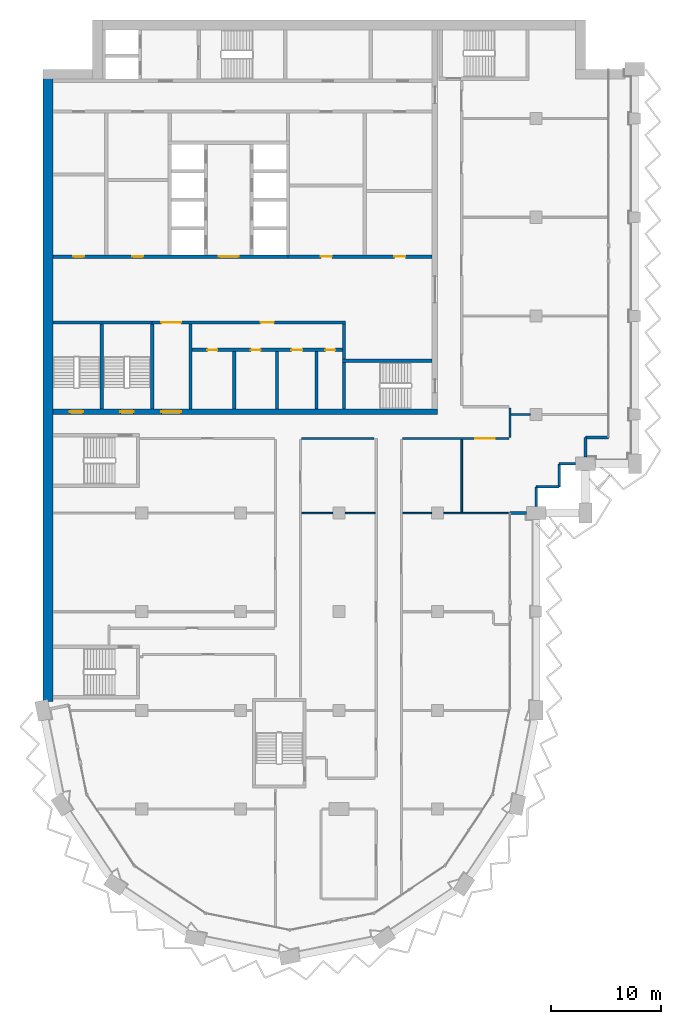
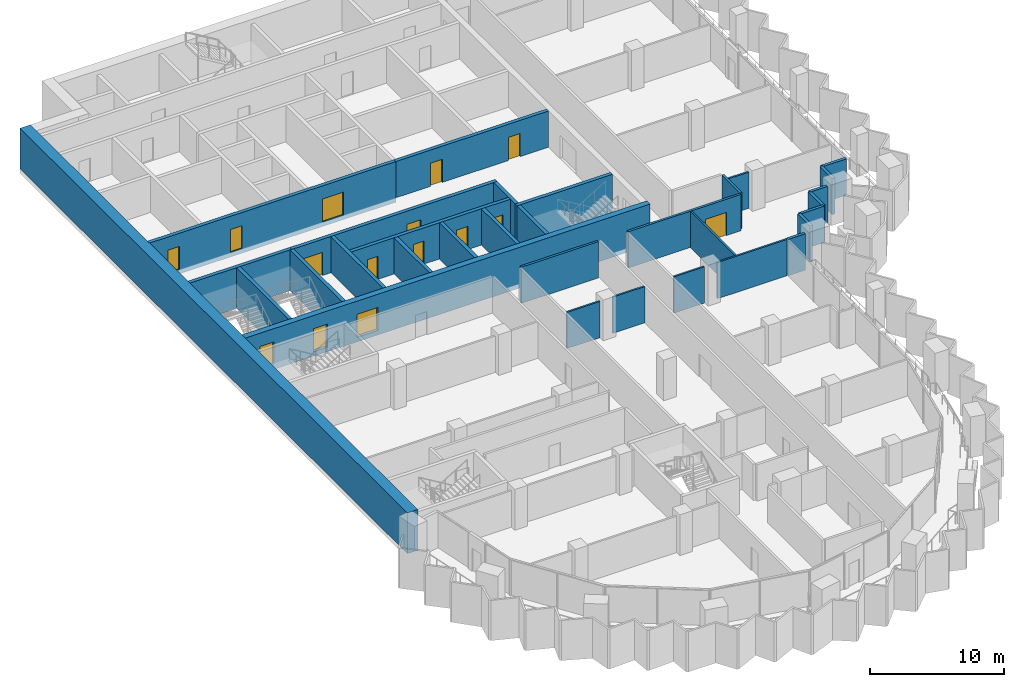
# One storey, part 9 of 17: 32 walls, 15 doors, 15 openings.
"""IFC4 building model written with IfcOpenShell, lengths in metres."""

from ifc_helpers import new_model, si_unit, direction, frame, frame_2d, origin, place, context, subcontext, project, spatial, rectangle, extrude, material, layer, layer_set, type_object, element, fill, save


model = new_model("IFC4")

# Units and contexts
model_context = context("Model", 3, precision=1e-05, world=origin(), true_north=direction((0.0, 1.0)))
body_context = subcontext(model_context, "Body", "Model", "MODEL_VIEW")
ifc_project = project(units=[si_unit("LENGTHUNIT", "METRE"), si_unit("AREAUNIT", "SQUARE_METRE"), si_unit("VOLUMEUNIT", "CUBIC_METRE"), si_unit("PLANEANGLEUNIT", "RADIAN"), si_unit("MASSUNIT", "GRAM", prefix="KILO")], contexts=[model_context])

# Site, building, storey
site_placement = place(None, origin())
site = spatial("IfcSite", under=ifc_project, at=site_placement, CompositionType="ELEMENT")
building_placement = place(site_placement, origin())
building = spatial("IfcBuilding", under=site, at=building_placement, Name="Hunhe Ridgeline Campus", CompositionType="ELEMENT")
storey_placement = place(building_placement, frame((0.0, 0.0, 208.699951171875)))
storey = spatial("IfcBuildingStorey", under=building, at=storey_placement, Name="L53", CompositionType="ELEMENT", Elevation=208.699951171875)

# Wall, openings, doors
ifc_material_1 = material(Name="Masonry concrete blockwork", Category="masonry")
ifc_layer_1 = layer(ifc_material_1, 0.300048828125)
ifc_layer_set_1 = layer_set([ifc_layer_1], Name="Core room partition 300 concrete block")
wall_type_1 = type_object("IfcWallType", Name="Core room partition 300 concrete block", PredefinedType="PARTITIONING", material=ifc_layer_set_1)
wall_1_placement = place(storey_placement, frame((13.60009765625, 68.89990234375, 0.0), z_axis=(0.0, 0.0, 1.0), x_axis=(1.0, 0.0, 0.0)))
wall_1 = element("IfcWall", 1, at=wall_1_placement, inside=storey, type_object=wall_type_1, Name="L53 core partition 9", PredefinedType="PARTITIONING", context=body_context, shape_type="SweptSolid", body=[
    extrude(rectangle(XDim=13.699951171875, YDim=0.300048828125, at=frame_2d((6.85009765625, 0.0))), origin(), (0.0, 0.0, 1.0), 3.300048828125),
])
opening_1_placement = place(wall_1_placement, frame((1.39990234375, 0.0, 0.0)))
opening_1 = element("IfcOpeningElement", 2, at=opening_1_placement, cuts=wall_1, Name="Opening CD8", PredefinedType="OPENING", context=body_context, shape_type="SweptSolid", body=[
    extrude(rectangle(XDim=0.89990234375, YDim=2.10009765625, at=frame_2d((0.449951171875, 1.050048828125))), frame((0.0, 0.14990234375, 0.0), z_axis=(0.0, -1.0, 0.0), x_axis=(1.0, 0.0, 0.0)), (0.0, 0.0, 1.0), 0.300048828125),
])
opening_2_placement = place(wall_1_placement, frame((5.35009765625, 0.0, 0.0)))
opening_2 = element("IfcOpeningElement", 3, at=opening_2_placement, cuts=wall_1, Name="Opening CD9", PredefinedType="OPENING", context=body_context, shape_type="SweptSolid", body=[
    extrude(rectangle(XDim=0.89990234375, YDim=2.10009765625, at=frame_2d((0.449951171875, 1.050048828125))), frame((0.0, 0.14990234375, 0.0), z_axis=(0.0, -1.0, 0.0), x_axis=(1.0, 0.0, 0.0)), (0.0, 0.0, 1.0), 0.300048828125),
])
opening_3_placement = place(wall_1_placement, frame((9.050048828125, 0.0, 0.0)))
opening_3 = element("IfcOpeningElement", 4, at=opening_3_placement, cuts=wall_1, Name="Opening CD10", PredefinedType="OPENING", context=body_context, shape_type="SweptSolid", body=[
    extrude(rectangle(XDim=1.0, YDim=2.10009765625, at=frame_2d((0.5, 1.050048828125))), frame((0.0, 0.14990234375, 0.0), z_axis=(0.0, -1.0, 0.0), x_axis=(1.0, 0.0, 0.0)), (0.0, 0.0, 1.0), 0.300048828125),
])
opening_4_placement = place(wall_1_placement, frame((12.14990234375, 0.0, 0.0)))
opening_4 = element("IfcOpeningElement", 5, at=opening_4_placement, cuts=wall_1, Name="Opening CD11", PredefinedType="OPENING", context=body_context, shape_type="SweptSolid", body=[
    extrude(rectangle(XDim=0.89990234375, YDim=2.10009765625, at=frame_2d((0.449951171875, 1.050048828125))), frame((0.0, 0.14990234375, 0.0), z_axis=(0.0, -1.0, 0.0), x_axis=(1.0, 0.0, 0.0)), (0.0, 0.0, 1.0), 0.300048828125),
])
ifc_material_2 = material(Name="Solid core timber door leaf", Category="wood")
door_type_1 = type_object("IfcDoorType", Name="Timber door 1000x2100", OperationType="SINGLE_SWING_LEFT", PredefinedType="DOOR", material=ifc_material_2)
door_1_placement = place(opening_3_placement, frame((1.0, 0.0, 0.0), z_axis=(0.0, 0.0, 1.0), x_axis=(-1.0, 0.0, 0.0)))
door_1 = element("IfcDoor", 6, at=door_1_placement, inside=storey, type_object=door_type_1, Name="L53 door WC3", OperationType="SINGLE_SWING_LEFT", OverallHeight=2.10009765625, OverallWidth=1.0, PredefinedType="DOOR", context=body_context, shape_type="SweptSolid", body=[
    extrude(rectangle(XDim=1.0, YDim=2.10009765625, at=frame_2d((0.5, 1.050048828125))), frame((0.0, 0.02490234375, 0.0), z_axis=(0.0, -1.0, 0.0), x_axis=(1.0, 0.0, 0.0)), (0.0, 0.0, 1.0), 0.050048828125),
])
fill(opening_3, door_1)
door_type_2 = type_object("IfcDoorType", Name="Timber door 900x2100", OperationType="SINGLE_SWING_LEFT", PredefinedType="DOOR", material=ifc_material_2)
door_2_placement = place(opening_1_placement, frame((0.89990234375, 0.0, 0.0), z_axis=(0.0, 0.0, 1.0), x_axis=(-1.0, 0.0, 0.0)))
door_2 = element("IfcDoor", 7, at=door_2_placement, inside=storey, type_object=door_type_2, Name="L53 door WC1", OperationType="SINGLE_SWING_LEFT", OverallHeight=2.10009765625, OverallWidth=0.89990234375, PredefinedType="DOOR", context=body_context, shape_type="SweptSolid", body=[
    extrude(rectangle(XDim=0.89990234375, YDim=2.10009765625, at=frame_2d((0.449951171875, 1.050048828125))), frame((0.0, 0.02490234375, 0.0), z_axis=(0.0, -1.0, 0.0), x_axis=(1.0, 0.0, 0.0)), (0.0, 0.0, 1.0), 0.050048828125),
])
fill(opening_1, door_2)
door_3_placement = place(opening_2_placement, frame((0.89990234375, 0.0, 0.0), z_axis=(0.0, 0.0, 1.0), x_axis=(-1.0, 0.0, 0.0)))
door_3 = element("IfcDoor", 8, at=door_3_placement, inside=storey, type_object=door_type_2, Name="L53 door WC2", OperationType="SINGLE_SWING_RIGHT", OverallHeight=2.10009765625, OverallWidth=0.89990234375, PredefinedType="DOOR", context=body_context, shape_type="SweptSolid", body=[
    extrude(rectangle(XDim=0.89990234375, YDim=2.10009765625, at=frame_2d((0.449951171875, 1.050048828125))), frame((0.0, 0.02490234375, 0.0), z_axis=(0.0, -1.0, 0.0), x_axis=(1.0, 0.0, 0.0)), (0.0, 0.0, 1.0), 0.050048828125),
])
fill(opening_2, door_3)
door_4_placement = place(opening_4_placement, frame((0.89990234375, 0.0, 0.0), z_axis=(0.0, 0.0, 1.0), x_axis=(-1.0, 0.0, 0.0)))
door_4 = element("IfcDoor", 9, at=door_4_placement, inside=storey, type_object=door_type_2, Name="L53 door WC4", OperationType="SINGLE_SWING_RIGHT", OverallHeight=2.10009765625, OverallWidth=0.89990234375, PredefinedType="DOOR", context=body_context, shape_type="SweptSolid", body=[
    extrude(rectangle(XDim=0.89990234375, YDim=2.10009765625, at=frame_2d((0.449951171875, 1.050048828125))), frame((0.0, 0.02490234375, 0.0), z_axis=(0.0, -1.0, 0.0), x_axis=(1.0, 0.0, 0.0)), (0.0, 0.0, 1.0), 0.050048828125),
])
fill(opening_4, door_4)

wall_2_placement = place(storey_placement, frame((9.949951171875, 71.39990234375, 0.0), z_axis=(0.0, 0.0, 1.0), x_axis=(1.0, 0.0, 0.0)))
wall_2 = element("IfcWall", 10, at=wall_2_placement, inside=storey, type_object=wall_type_1, Name="L53 core partition 11", PredefinedType="PARTITIONING", context=body_context, shape_type="SweptSolid", body=[
    extrude(rectangle(XDim=17.650146484375, YDim=0.300048828125, at=frame_2d((8.8251953125, 0.0))), origin(), (0.0, 0.0, 1.0), 3.300048828125),
])
opening_5_placement = place(wall_2_placement, frame((0.85009765625, 0.0, 0.0)))
opening_5 = element("IfcOpeningElement", 11, at=opening_5_placement, cuts=wall_2, Name="Opening CD7", PredefinedType="OPENING", context=body_context, shape_type="SweptSolid", body=[
    extrude(rectangle(XDim=1.800048828125, YDim=2.10009765625, at=frame_2d((0.89990234375, 1.050048828125))), frame((0.0, 0.14990234375, 0.0), z_axis=(0.0, -1.0, 0.0), x_axis=(1.0, 0.0, 0.0)), (0.0, 0.0, 1.0), 0.300048828125),
])
opening_6_placement = place(wall_2_placement, frame((9.89990234375, 0.0, 0.0)))
opening_6 = element("IfcOpeningElement", 12, at=opening_6_placement, cuts=wall_2, Name="Opening CD12", PredefinedType="OPENING", context=body_context, shape_type="SweptSolid", body=[
    extrude(rectangle(XDim=1.199951171875, YDim=2.10009765625, at=frame_2d((0.60009765625, 1.050048828125))), frame((0.0, 0.14990234375, 0.0), z_axis=(0.0, -1.0, 0.0), x_axis=(1.0, 0.0, 0.0)), (0.0, 0.0, 1.0), 0.300048828125),
])
ifc_material_3 = material(Name="Anodised aluminium and glass", Category="aluminium")
door_type_3 = type_object("IfcDoorType", Name="Glazed double door 1800x2100", OperationType="DOUBLE_DOOR_SINGLE_SWING", PredefinedType="DOOR", material=ifc_material_3)
door_5_placement = place(opening_5_placement, origin())
door_5 = element("IfcDoor", 13, at=door_5_placement, inside=storey, type_object=door_type_3, Name="L53 door VEST-HALL", OperationType="DOUBLE_DOOR_SINGLE_SWING", OverallHeight=2.10009765625, OverallWidth=1.800048828125, PredefinedType="DOOR", context=body_context, shape_type="SweptSolid", body=[
    extrude(rectangle(XDim=1.800048828125, YDim=2.10009765625, at=frame_2d((0.89990234375, 1.050048828125))), frame((0.0, 0.02490234375, 0.0), z_axis=(0.0, -1.0, 0.0), x_axis=(1.0, 0.0, 0.0)), (0.0, 0.0, 1.0), 0.050048828125),
])
fill(opening_5, door_5)
door_type_4 = type_object("IfcDoorType", Name="Timber door 1200x2100", OperationType="SINGLE_SWING_LEFT", PredefinedType="DOOR", material=ifc_material_2)
door_6_placement = place(opening_6_placement, origin())
door_6 = element("IfcDoor", 14, at=door_6_placement, inside=storey, type_object=door_type_4, Name="L53 door WCL2-HALL", OperationType="SINGLE_SWING_RIGHT", OverallHeight=2.10009765625, OverallWidth=1.199951171875, PredefinedType="DOOR", context=body_context, shape_type="SweptSolid", body=[
    extrude(rectangle(XDim=1.199951171875, YDim=2.10009765625, at=frame_2d((0.60009765625, 1.050048828125))), frame((0.0, 0.02490234375, 0.0), z_axis=(0.0, -1.0, 0.0), x_axis=(1.0, 0.0, 0.0)), (0.0, 0.0, 1.0), 0.050048828125),
])
fill(opening_6, door_6)

wall_3_placement = place(storey_placement, frame((22.35009765625, 77.39990234375, 0.0), z_axis=(0.0, 0.0, 1.0), x_axis=(1.0, 0.0, 0.0)))
wall_3 = element("IfcWall", 15, at=wall_3_placement, inside=storey, type_object=wall_type_1, Name="L53 core partition 13", PredefinedType="PARTITIONING", context=body_context, shape_type="SweptSolid", body=[
    extrude(rectangle(XDim=13.14990234375, YDim=0.300048828125, at=frame_2d((6.574951171875, 0.0))), origin(), (0.0, 0.0, 1.0), 3.300048828125),
])
opening_7_placement = place(wall_3_placement, frame((3.0, 0.0, 0.0)))
opening_7 = element("IfcOpeningElement", 16, at=opening_7_placement, cuts=wall_3, Name="Opening CD32", PredefinedType="OPENING", context=body_context, shape_type="SweptSolid", body=[
    extrude(rectangle(XDim=1.0, YDim=2.10009765625, at=frame_2d((0.5, 1.050048828125))), frame((0.0, 0.14990234375, 0.0), z_axis=(0.0, -1.0, 0.0), x_axis=(1.0, 0.0, 0.0)), (0.0, 0.0, 1.0), 0.300048828125),
])
opening_8_placement = place(wall_3_placement, frame((9.699951171875, 0.0, 0.0)))
opening_8 = element("IfcOpeningElement", 17, at=opening_8_placement, cuts=wall_3, Name="Opening CD42", PredefinedType="OPENING", context=body_context, shape_type="SweptSolid", body=[
    extrude(rectangle(XDim=1.0, YDim=2.10009765625, at=frame_2d((0.5, 1.050048828125))), frame((0.0, 0.14990234375, 0.0), z_axis=(0.0, -1.0, 0.0), x_axis=(1.0, 0.0, 0.0)), (0.0, 0.0, 1.0), 0.300048828125),
])
door_7_placement = place(opening_7_placement, origin())
door_7 = element("IfcDoor", 18, at=door_7_placement, inside=storey, type_object=door_type_1, Name="L53 door ES0", OperationType="SINGLE_SWING_RIGHT", OverallHeight=2.10009765625, OverallWidth=1.0, PredefinedType="DOOR", context=body_context, shape_type="SweptSolid", body=[
    extrude(rectangle(XDim=1.0, YDim=2.10009765625, at=frame_2d((0.5, 1.050048828125))), frame((0.0, 0.02490234375, 0.0), z_axis=(0.0, -1.0, 0.0), x_axis=(1.0, 0.0, 0.0)), (0.0, 0.0, 1.0), 0.050048828125),
])
fill(opening_7, door_7)
door_8_placement = place(opening_8_placement, origin())
door_8 = element("IfcDoor", 19, at=door_8_placement, inside=storey, type_object=door_type_1, Name="L53 door ES2", OperationType="SINGLE_SWING_RIGHT", OverallHeight=2.10009765625, OverallWidth=1.0, PredefinedType="DOOR", context=body_context, shape_type="SweptSolid", body=[
    extrude(rectangle(XDim=1.0, YDim=2.10009765625, at=frame_2d((0.5, 1.050048828125))), frame((0.0, 0.02490234375, 0.0), z_axis=(0.0, -1.0, 0.0), x_axis=(1.0, 0.0, 0.0)), (0.0, 0.0, 1.0), 0.050048828125),
])
fill(opening_8, door_8)

# Walls
wall_4_placement = place(storey_placement, frame((13.449951171875, 63.5, 0.0), z_axis=(0.0, 0.0, 1.0), x_axis=(0.0, 1.0, 0.0)))
element("IfcWall", 20, at=wall_4_placement, inside=storey, type_object=wall_type_1, Name="L53 core partition 38", PredefinedType="PARTITIONING", context=body_context, shape_type="SweptSolid", body=[
    extrude(rectangle(XDim=7.75, YDim=0.300048828125, at=frame_2d((3.875, 0.0))), origin(), (0.0, 0.0, 1.0), 3.300048828125),
])
for number, where, z_axis, x_axis, name in (
    (21, (17.449951171875, 63.5, 0.0), (0.0, 0.0, 1.0), (0.0, 1.0, 0.0), "L53 core partition 41"),
    (22, (21.35009765625, 63.5, 0.0), (0.0, 0.0, 1.0), (0.0, 1.0, 0.0), "L53 core partition 44"),
    (23, (24.949951171875, 63.5, 0.0), (0.0, 0.0, 1.0), (0.0, 1.0, 0.0), "L53 core partition 49"),
):
    element("IfcWall", number, at=place(storey_placement, frame(where, z_axis=z_axis, x_axis=x_axis)), inside=storey, type_object=wall_type_1, Name=name, PredefinedType="PARTITIONING", context=body_context, shape_type="SweptSolid", body=[
        extrude(rectangle(XDim=5.25, YDim=0.300048828125, at=frame_2d((2.625, 0.0))), origin(), (0.0, 0.0, 1.0), 3.300048828125),
    ])
wall_5_placement = place(storey_placement, frame((27.449951171875, 68.050048828125, 0.0), z_axis=(0.0, 0.0, 1.0), x_axis=(0.0, 1.0, 0.0)))
element("IfcWall", 24, at=wall_5_placement, inside=storey, type_object=wall_type_1, Name="L53 core partition 51", PredefinedType="PARTITIONING", context=body_context, shape_type="SweptSolid", body=[
    extrude(rectangle(XDim=3.199951171875, YDim=0.300048828125, at=frame_2d((1.60009765625, 0.0))), origin(), (0.0, 0.0, 1.0), 3.300048828125),
])

# Wall, openings, doors
ifc_material_4 = material(Name="Concrete C60", Category="concrete")
ifc_layer_2 = layer(ifc_material_4, 0.5)
ifc_layer_set_2 = layer_set([ifc_layer_2], Name="Core wall 500 reinforced concrete C60")
wall_type_2 = type_object("IfcWallType", Name="Core wall 500 reinforced concrete C60", PredefinedType="SOLIDWALL", material=ifc_layer_set_2)
wall_6_placement = place(storey_placement, frame((0.89990234375, 63.25, -0.39990234375), z_axis=(0.0, 0.0, 1.0), x_axis=(1.0, 0.0, 0.0)))
wall_6 = element("IfcWall", 25, at=wall_6_placement, inside=storey, type_object=wall_type_2, Name="L53 core wall 7", PredefinedType="SOLIDWALL", context=body_context, shape_type="SweptSolid", body=[
    extrude(rectangle(XDim=35.10009765625, YDim=0.5, at=frame_2d((17.550048828125, 0.0))), origin(), (0.0, 0.0, 1.0), 3.699951171875),
])
opening_9_placement = place(wall_6_placement, frame((9.89990234375, 0.0, 0.39990234375)))
opening_9 = element("IfcOpeningElement", 26, at=opening_9_placement, cuts=wall_6, Name="Opening CD6", PredefinedType="OPENING", context=body_context, shape_type="SweptSolid", body=[
    extrude(rectangle(XDim=1.800048828125, YDim=2.10009765625, at=frame_2d((0.89990234375, 1.050048828125))), frame((0.0, 0.25, 0.0), z_axis=(0.0, -1.0, 0.0), x_axis=(1.0, 0.0, 0.0)), (0.0, 0.0, 1.0), 0.5),
])
opening_10_placement = place(wall_6_placement, frame((1.550048828125, 0.0, 0.39990234375)))
opening_10 = element("IfcOpeningElement", 27, at=opening_10_placement, cuts=wall_6, Name="Opening CD13", PredefinedType="OPENING", context=body_context, shape_type="SweptSolid", body=[
    extrude(rectangle(XDim=1.199951171875, YDim=2.10009765625, at=frame_2d((0.60009765625, 1.050048828125))), frame((0.0, 0.25, 0.0), z_axis=(0.0, -1.0, 0.0), x_axis=(1.0, 0.0, 0.0)), (0.0, 0.0, 1.0), 0.5),
])
opening_11_placement = place(wall_6_placement, frame((6.14990234375, 0.0, 0.39990234375)))
opening_11 = element("IfcOpeningElement", 28, at=opening_11_placement, cuts=wall_6, Name="Opening CD14", PredefinedType="OPENING", context=body_context, shape_type="SweptSolid", body=[
    extrude(rectangle(XDim=1.199951171875, YDim=2.10009765625, at=frame_2d((0.60009765625, 1.050048828125))), frame((0.0, 0.25, 0.0), z_axis=(0.0, -1.0, 0.0), x_axis=(1.0, 0.0, 0.0)), (0.0, 0.0, 1.0), 0.5),
])
door_9_placement = place(opening_9_placement, frame((1.800048828125, 0.0, 0.0), z_axis=(0.0, 0.0, 1.0), x_axis=(-1.0, 0.0, 0.0)))
door_9 = element("IfcDoor", 29, at=door_9_placement, inside=storey, type_object=door_type_3, Name="L53 door VEST-FLOOR", OperationType="DOUBLE_DOOR_SINGLE_SWING", OverallHeight=2.10009765625, OverallWidth=1.800048828125, PredefinedType="DOOR", context=body_context, shape_type="SweptSolid", body=[
    extrude(rectangle(XDim=1.800048828125, YDim=2.10009765625, at=frame_2d((0.89990234375, 1.050048828125))), frame((0.0, 0.02490234375, 0.0), z_axis=(0.0, -1.0, 0.0), x_axis=(1.0, 0.0, 0.0)), (0.0, 0.0, 1.0), 0.050048828125),
])
fill(opening_9, door_9)
ifc_material_5 = material(Name="Hollow metal fire door leaf")
door_type_5 = type_object("IfcDoorType", Name="Stair door 1200x2100 FD60", OperationType="SINGLE_SWING_LEFT", PredefinedType="DOOR", material=ifc_material_5)
door_10_placement = place(opening_10_placement, frame((1.199951171875, 0.0, 0.0), z_axis=(0.0, 0.0, 1.0), x_axis=(-1.0, 0.0, 0.0)))
door_10 = element("IfcDoor", 30, at=door_10_placement, inside=storey, type_object=door_type_5, Name="L53 door S3", OperationType="SINGLE_SWING_LEFT", OverallHeight=2.10009765625, OverallWidth=1.199951171875, PredefinedType="DOOR", context=body_context, shape_type="SweptSolid", body=[
    extrude(rectangle(XDim=1.199951171875, YDim=2.10009765625, at=frame_2d((0.60009765625, 1.050048828125))), frame((0.0, 0.02490234375, 0.0), z_axis=(0.0, -1.0, 0.0), x_axis=(1.0, 0.0, 0.0)), (0.0, 0.0, 1.0), 0.050048828125),
])
fill(opening_10, door_10)
door_11_placement = place(opening_11_placement, frame((1.199951171875, 0.0, 0.0), z_axis=(0.0, 0.0, 1.0), x_axis=(-1.0, 0.0, 0.0)))
door_11 = element("IfcDoor", 31, at=door_11_placement, inside=storey, type_object=door_type_5, Name="L53 door S4", OperationType="SINGLE_SWING_RIGHT", OverallHeight=2.10009765625, OverallWidth=1.199951171875, PredefinedType="DOOR", context=body_context, shape_type="SweptSolid", body=[
    extrude(rectangle(XDim=1.199951171875, YDim=2.10009765625, at=frame_2d((0.60009765625, 1.050048828125))), frame((0.0, 0.02490234375, 0.0), z_axis=(0.0, -1.0, 0.0), x_axis=(1.0, 0.0, 0.0)), (0.0, 0.0, 1.0), 0.050048828125),
])
fill(opening_11, door_11)

# Walls
ifc_material_6 = material(Name="Concrete C30", Category="concrete")
ifc_layer_3 = layer(ifc_material_6, 0.25)
ifc_layer_set_3 = layer_set([ifc_layer_3], Name="Corner return wall 250 Concrete C30")
wall_type_3 = type_object("IfcWallType", Name="Corner return wall 250 Concrete C30", PredefinedType="SOLIDWALL", material=ifc_layer_set_3)
wall_7_placement = place(storey_placement, frame((42.59912109375, 54.00048828125, 0.0), z_axis=(0.0, 0.0, 1.0), x_axis=(0.999999986772, 0.00016265452, 0.0)))
element("IfcWall", 32, at=wall_7_placement, inside=storey, type_object=wall_type_3, Name="Corner return wall 2", PredefinedType="SOLIDWALL", context=body_context, shape_type="SweptSolid", body=[
    extrude(rectangle(XDim=1.5009765625, YDim=0.25, at=frame_2d((0.75048828125, 0.0))), origin(), (0.0, 0.0, 1.0), 3.300048828125),
])
wall_8_placement = place(storey_placement, frame((44.9990234375, 54.60009765625, 0.0), z_axis=(0.0, 0.0, 1.0), x_axis=(0.000135593219, 0.999999990807, 0.0)))
element("IfcWall", 33, at=wall_8_placement, inside=storey, type_object=wall_type_3, Name="Corner return wall 3", PredefinedType="SOLIDWALL", context=body_context, shape_type="SweptSolid", body=[
    extrude(rectangle(XDim=1.800537109375, YDim=0.25, at=frame_2d((0.900390625, 0.0))), origin(), (0.0, 0.0, 1.0), 3.300048828125),
])
wall_9_placement = place(storey_placement, frame((44.999267578125, 56.400634765625, 0.0), z_axis=(0.0, 0.0, 1.0), x_axis=(0.999999993241, 0.00011626555, 0.0)))
element("IfcWall", 34, at=wall_9_placement, inside=storey, type_object=wall_type_3, Name="Corner return wall 4", PredefinedType="SOLIDWALL", context=body_context, shape_type="SweptSolid", body=[
    extrude(rectangle(XDim=2.099853515625, YDim=0.25, at=frame_2d((1.0498046875, 0.0))), origin(), (0.0, 0.0, 1.0), 3.300048828125),
])
wall_10_placement = place(storey_placement, frame((47.09912109375, 56.40087890625, 0.0), z_axis=(0.0, 0.0, 1.0), x_axis=(0.000232504063, 0.999999972971, 0.0)))
element("IfcWall", 35, at=wall_10_placement, inside=storey, type_object=wall_type_3, Name="Corner return wall 5", PredefinedType="SOLIDWALL", context=body_context, shape_type="SweptSolid", body=[
    extrude(rectangle(XDim=2.10009765625, YDim=0.25, at=frame_2d((1.050048828125, 0.0))), origin(), (0.0, 0.0, 1.0), 3.300048828125),
])
wall_11_placement = place(storey_placement, frame((47.099609375, 58.5009765625, 0.0), z_axis=(0.0, 0.0, 1.0), x_axis=(1.0, 0.0, 0.0)))
element("IfcWall", 36, at=wall_11_placement, inside=storey, type_object=wall_type_3, Name="Corner return wall 6", PredefinedType="SOLIDWALL", context=body_context, shape_type="SweptSolid", body=[
    extrude(rectangle(XDim=1.50048828125, YDim=0.25, at=frame_2d((0.750244140625, 0.0))), origin(), (0.0, 0.0, 1.0), 3.300048828125),
])
wall_12_placement = place(storey_placement, frame((49.4990234375, 59.10009765625, 0.0), z_axis=(0.0, 0.0, 1.0), x_axis=(0.000271149665, 0.999999963239, 0.0)))
element("IfcWall", 37, at=wall_12_placement, inside=storey, type_object=wall_type_3, Name="Corner return wall 7", PredefinedType="SOLIDWALL", context=body_context, shape_type="SweptSolid", body=[
    extrude(rectangle(XDim=1.80078125, YDim=0.25, at=frame_2d((0.900390625, 0.0))), origin(), (0.0, 0.0, 1.0), 3.300048828125),
])
wall_13_placement = place(storey_placement, frame((49.49951171875, 60.90087890625, 0.0), z_axis=(0.0, 0.0, 1.0), x_axis=(1.0, 0.0, 0.0)))
element("IfcWall", 38, at=wall_13_placement, inside=storey, type_object=wall_type_3, Name="Corner return wall 8", PredefinedType="SOLIDWALL", context=body_context, shape_type="SweptSolid", body=[
    extrude(rectangle(XDim=2.099609375, YDim=0.25, at=frame_2d((1.0498046875, 0.0))), origin(), (0.0, 0.0, 1.0), 3.300048828125),
])
ifc_material_7 = material(Name="Gypsum board partition")
ifc_layer_4 = layer(ifc_material_7, 0.199951171875)
ifc_layer_set_4 = layer_set([ifc_layer_4], Name="Corridor partition 200 gypsum board on steel studs")
wall_type_4 = type_object("IfcWallType", Name="Corridor partition 200 gypsum board on steel studs", PredefinedType="PARTITIONING", material=ifc_layer_set_4)
wall_14_placement = place(storey_placement, frame((30.211669921875, 60.800048828125, 0.0), z_axis=(0.0, 0.0, 1.0), x_axis=(-1.0, 0.0, 0.0)))
element("IfcWall", 39, at=wall_14_placement, inside=storey, type_object=wall_type_4, Name="F-L53-wall-034", PredefinedType="PARTITIONING", context=body_context, shape_type="SweptSolid", body=[
    extrude(rectangle(XDim=6.611572265625, YDim=0.199951171875, at=frame_2d((3.3056640625, 0.0))), origin(), (0.0, 0.0, 1.0), 3.300048828125),
])

# Wall, opening, door
wall_15_placement = place(storey_placement, frame((42.5, 60.800048828125, 0.0), z_axis=(0.0, 0.0, 1.0), x_axis=(-1.0, 0.0, 0.0)))
wall_15 = element("IfcWall", 40, at=wall_15_placement, inside=storey, type_object=wall_type_4, Name="F-L53-wall-035", PredefinedType="PARTITIONING", context=body_context, shape_type="SweptSolid", body=[
    extrude(rectangle(XDim=9.699951171875, YDim=0.199951171875, at=frame_2d((4.85009765625, 0.0))), origin(), (0.0, 0.0, 1.0), 3.300048828125),
])
opening_12_placement = place(wall_15_placement, frame((1.269775390625, 0.0, 0.0)))
opening_12 = element("IfcOpeningElement", 41, at=opening_12_placement, cuts=wall_15, Name="Opening RD2-016", PredefinedType="OPENING", context=body_context, shape_type="SweptSolid", body=[
    extrude(rectangle(XDim=1.800048828125, YDim=2.10009765625, at=frame_2d((0.89990234375, 1.050048828125))), frame((0.0, 0.10009765625, 0.0), z_axis=(0.0, -1.0, 0.0), x_axis=(1.0, 0.0, 0.0)), (0.0, 0.0, 1.0), 0.199951171875),
])
ifc_material_8 = material(Name="Timber door leaf", Category="wood")
door_type_6 = type_object("IfcDoorType", Name="Double fire door 1800x2100 timber FD60", OperationType="DOUBLE_DOOR_SINGLE_SWING", PredefinedType="DOOR", material=ifc_material_8)
door_12_placement = place(opening_12_placement, origin())
door_12 = element("IfcDoor", 42, at=door_12_placement, inside=storey, type_object=door_type_6, Name="F-L53-door-016", OperationType="DOUBLE_DOOR_SINGLE_SWING", OverallHeight=2.10009765625, OverallWidth=1.800048828125, PredefinedType="DOOR", context=body_context, shape_type="SweptSolid", body=[
    extrude(rectangle(XDim=1.800048828125, YDim=2.10009765625, at=frame_2d((0.89990234375, 1.050048828125))), frame((0.0, 0.02490234375, 0.0), z_axis=(0.0, -1.0, 0.0), x_axis=(1.0, 0.0, 0.0)), (0.0, 0.0, 1.0), 0.050048828125),
])
fill(opening_12, door_12)

# Walls
wall_16_placement = place(storey_placement, frame((42.60009765625, 63.60009765625, 0.0), z_axis=(0.0, 0.0, 1.0), x_axis=(0.0, -1.0, 0.0)))
element("IfcWall", 43, at=wall_16_placement, inside=storey, type_object=wall_type_4, Name="F-L53-wall-059", PredefinedType="PARTITIONING", context=body_context, shape_type="SweptSolid", body=[
    extrude(rectangle(XDim=2.7001953125, YDim=0.199951171875, at=frame_2d((1.35009765625, 0.0))), origin(), (0.0, 0.0, 1.0), 3.300048828125),
])
ifc_layer_5 = layer(ifc_material_7, 0.14990234375)
ifc_layer_set_5 = layer_set([ifc_layer_5], Name="Room partition 150 gypsum board on steel studs")
wall_type_5 = type_object("IfcWallType", Name="Room partition 150 gypsum board on steel studs", PredefinedType="PARTITIONING", material=ifc_layer_set_5)
wall_17_placement = place(storey_placement, frame((23.60009765625, 54.0, 0.0), z_axis=(0.0, 0.0, 1.0), x_axis=(1.0, 0.0, 0.0)))
element("IfcWall", 44, at=wall_17_placement, inside=storey, type_object=wall_type_5, Name="F-L53-wall-029", PredefinedType="PARTITIONING", context=body_context, shape_type="SweptSolid", body=[
    extrude(rectangle(XDim=2.849853515625, YDim=0.14990234375, at=frame_2d((1.4248046875, 0.0))), origin(), (0.0, 0.0, 1.0), 3.300048828125),
])
wall_18_placement = place(storey_placement, frame((27.550048828125, 54.0, 0.0), z_axis=(0.0, 0.0, 1.0), x_axis=(1.0, 0.0, 0.0)))
element("IfcWall", 45, at=wall_18_placement, inside=storey, type_object=wall_type_5, Name="F-L53-wall-030", PredefinedType="PARTITIONING", context=body_context, shape_type="SweptSolid", body=[
    extrude(rectangle(XDim=2.75, YDim=0.14990234375, at=frame_2d((1.375, 0.0))), origin(), (0.0, 0.0, 1.0), 3.300048828125),
])
wall_19_placement = place(storey_placement, frame((32.800048828125, 54.0, 0.0), z_axis=(0.0, 0.0, 1.0), x_axis=(1.0, 0.0, 0.0)))
element("IfcWall", 46, at=wall_19_placement, inside=storey, type_object=wall_type_5, Name="F-L53-wall-031", PredefinedType="PARTITIONING", context=body_context, shape_type="SweptSolid", body=[
    extrude(rectangle(XDim=2.64990234375, YDim=0.14990234375, at=frame_2d((1.324951171875, 0.0))), origin(), (0.0, 0.0, 1.0), 3.300048828125),
])
wall_20_placement = place(storey_placement, frame((36.550048828125, 54.0, 0.0), z_axis=(0.0, 0.0, 1.0), x_axis=(1.0, 0.0, 0.0)))
element("IfcWall", 47, at=wall_20_placement, inside=storey, type_object=wall_type_5, Name="F-L53-wall-032", PredefinedType="PARTITIONING", context=body_context, shape_type="SweptSolid", body=[
    extrude(rectangle(XDim=5.9951171875, YDim=0.14990234375, at=frame_2d((2.99755859375, 0.0))), origin(), (0.0, 0.0, 1.0), 3.300048828125),
])
wall_21_placement = place(storey_placement, frame((42.699951171875, 63.0, 0.0), z_axis=(0.0, 0.0, 1.0), x_axis=(1.0, 0.0, 0.0)))
element("IfcWall", 48, at=wall_21_placement, inside=storey, type_object=wall_type_5, Name="F-L53-wall-036", PredefinedType="PARTITIONING", context=body_context, shape_type="SweptSolid", body=[
    extrude(rectangle(XDim=1.75, YDim=0.14990234375, at=frame_2d((0.875, 0.0))), origin(), (0.0, 0.0, 1.0), 3.300048828125),
])
wall_22_placement = place(storey_placement, frame((38.199951171875, 60.699951171875, 0.0), z_axis=(0.0, 0.0, 1.0), x_axis=(0.0, -1.0, 0.0)))
element("IfcWall", 49, at=wall_22_placement, inside=storey, type_object=wall_type_5, Name="F-L53-wall-056", PredefinedType="PARTITIONING", context=body_context, shape_type="SweptSolid", body=[
    extrude(rectangle(XDim=6.625, YDim=0.14990234375, at=frame_2d((3.3125, 0.0))), origin(), (0.0, 0.0, 1.0), 3.300048828125),
])

# Wall, openings, doors
ifc_layer_6 = layer(ifc_material_4, 0.300048828125)
ifc_layer_set_6 = layer_set([ifc_layer_6], Name="Shaft wall 300 reinforced concrete C60")
wall_type_6 = type_object("IfcWallType", Name="Shaft wall 300 reinforced concrete C60", PredefinedType="SOLIDWALL", material=ifc_layer_set_6)
wall_23_placement = place(storey_placement, frame((0.89990234375, 77.39990234375, -0.39990234375), z_axis=(0.0, 0.0, 1.0), x_axis=(1.0, 0.0, 0.0)))
wall_23 = element("IfcWall", 50, at=wall_23_placement, inside=storey, type_object=wall_type_6, Name="L53 core wall 12", PredefinedType="SOLIDWALL", context=body_context, shape_type="SweptSolid", body=[
    extrude(rectangle(XDim=21.4501953125, YDim=0.300048828125, at=frame_2d((10.72509765625, 0.0))), origin(), (0.0, 0.0, 1.0), 3.699951171875),
])
opening_13_placement = place(wall_23_placement, frame((15.14990234375, 0.0, 0.39990234375)))
opening_13 = element("IfcOpeningElement", 51, at=opening_13_placement, cuts=wall_23, Name="Opening CD38", PredefinedType="OPENING", context=body_context, shape_type="SweptSolid", body=[
    extrude(rectangle(XDim=1.800048828125, YDim=2.10009765625, at=frame_2d((0.89990234375, 1.050048828125))), frame((0.0, 0.14990234375, 0.0), z_axis=(0.0, -1.0, 0.0), x_axis=(1.0, 0.0, 0.0)), (0.0, 0.0, 1.0), 0.300048828125),
])
opening_14_placement = place(wall_23_placement, frame((1.85009765625, 0.0, 0.39990234375)))
opening_14 = element("IfcOpeningElement", 52, at=opening_14_placement, cuts=wall_23, Name="Opening CD39", PredefinedType="OPENING", context=body_context, shape_type="SweptSolid", body=[
    extrude(rectangle(XDim=1.0, YDim=2.10009765625, at=frame_2d((0.5, 1.050048828125))), frame((0.0, 0.14990234375, 0.0), z_axis=(0.0, -1.0, 0.0), x_axis=(1.0, 0.0, 0.0)), (0.0, 0.0, 1.0), 0.300048828125),
])
opening_15_placement = place(wall_23_placement, frame((7.25, 0.0, 0.39990234375)))
opening_15 = element("IfcOpeningElement", 53, at=opening_15_placement, cuts=wall_23, Name="Opening CD41", PredefinedType="OPENING", context=body_context, shape_type="SweptSolid", body=[
    extrude(rectangle(XDim=1.0, YDim=2.10009765625, at=frame_2d((0.5, 1.050048828125))), frame((0.0, 0.14990234375, 0.0), z_axis=(0.0, -1.0, 0.0), x_axis=(1.0, 0.0, 0.0)), (0.0, 0.0, 1.0), 0.300048828125),
])
door_type_7 = type_object("IfcDoorType", Name="Lobby door 1800x2100 FD60", OperationType="SINGLE_SWING_LEFT", PredefinedType="DOOR", material=ifc_material_5)
door_13_placement = place(opening_13_placement, frame((1.800048828125, 0.0, 0.0), z_axis=(0.0, 0.0, 1.0), x_axis=(-1.0, 0.0, 0.0)))
door_13 = element("IfcDoor", 54, at=door_13_placement, inside=storey, type_object=door_type_7, Name="L53 door LOB-HR", OperationType="SINGLE_SWING_RIGHT", OverallHeight=2.10009765625, OverallWidth=1.800048828125, PredefinedType="DOOR", context=body_context, shape_type="SweptSolid", body=[
    extrude(rectangle(XDim=1.800048828125, YDim=2.10009765625, at=frame_2d((0.89990234375, 1.050048828125))), frame((0.0, 0.02490234375, 0.0), z_axis=(0.0, -1.0, 0.0), x_axis=(1.0, 0.0, 0.0)), (0.0, 0.0, 1.0), 0.050048828125),
])
fill(opening_13, door_13)
door_14_placement = place(opening_14_placement, origin())
door_14 = element("IfcDoor", 55, at=door_14_placement, inside=storey, type_object=door_type_1, Name="L53 door VD-LR0", OperationType="SINGLE_SWING_LEFT", OverallHeight=2.10009765625, OverallWidth=1.0, PredefinedType="DOOR", context=body_context, shape_type="SweptSolid", body=[
    extrude(rectangle(XDim=1.0, YDim=2.10009765625, at=frame_2d((0.5, 1.050048828125))), frame((0.0, 0.02490234375, 0.0), z_axis=(0.0, -1.0, 0.0), x_axis=(1.0, 0.0, 0.0)), (0.0, 0.0, 1.0), 0.050048828125),
])
fill(opening_14, door_14)
door_15_placement = place(opening_15_placement, origin())
door_15 = element("IfcDoor", 56, at=door_15_placement, inside=storey, type_object=door_type_1, Name="L53 door VD-LR2", OperationType="SINGLE_SWING_LEFT", OverallHeight=2.10009765625, OverallWidth=1.0, PredefinedType="DOOR", context=body_context, shape_type="SweptSolid", body=[
    extrude(rectangle(XDim=1.0, YDim=2.10009765625, at=frame_2d((0.5, 1.050048828125))), frame((0.0, 0.02490234375, 0.0), z_axis=(0.0, -1.0, 0.0), x_axis=(1.0, 0.0, 0.0)), (0.0, 0.0, 1.0), 0.050048828125),
])
fill(opening_15, door_15)

# Walls
ifc_layer_7 = layer(ifc_material_4, 0.89990234375)
ifc_layer_set_7 = layer_set([ifc_layer_7], Name="Spine wall 900 Concrete C60")
wall_type_7 = type_object("IfcWallType", Name="Spine wall 900 Concrete C60", PredefinedType="SHEAR", material=ifc_layer_set_7)
wall_24_placement = place(storey_placement, frame((0.449951171875, 94.5, 0.0), z_axis=(0.0, 0.0, 1.0), x_axis=(0.0, -1.0, 0.0)))
element("IfcWall", 57, at=wall_24_placement, inside=storey, type_object=wall_type_7, Name="Spine wall SW3-1 L53", PredefinedType="SHEAR", context=body_context, shape_type="SweptSolid", body=[
    extrude(rectangle(XDim=57.686767578125, YDim=0.89990234375, at=frame_2d((28.84326171875, 0.0))), origin(), (0.0, 0.0, 1.0), 3.699951171875),
])
ifc_layer_8 = layer(ifc_material_4, 0.300048828125)
ifc_layer_set_8 = layer_set([ifc_layer_8], Name="Stair wall 300 reinforced concrete C60")
wall_type_8 = type_object("IfcWallType", Name="Stair wall 300 reinforced concrete C60", PredefinedType="SOLIDWALL", material=ifc_layer_set_8)
wall_25_placement = place(storey_placement, frame((27.300048828125, 67.89990234375, -0.39990234375), z_axis=(0.0, 0.0, 1.0), x_axis=(1.0, 0.0, 0.0)))
element("IfcWall", 58, at=wall_25_placement, inside=storey, type_object=wall_type_8, Name="L53 core wall 8", PredefinedType="SOLIDWALL", context=body_context, shape_type="SweptSolid", body=[
    extrude(rectangle(XDim=8.199951171875, YDim=0.300048828125, at=frame_2d((4.10009765625, 0.0))), origin(), (0.0, 0.0, 1.0), 3.699951171875),
])
wall_26_placement = place(storey_placement, frame((0.89990234375, 71.39990234375, -0.39990234375), z_axis=(0.0, 0.0, 1.0), x_axis=(1.0, 0.0, 0.0)))
element("IfcWall", 59, at=wall_26_placement, inside=storey, type_object=wall_type_8, Name="L53 core wall 10", PredefinedType="SOLIDWALL", context=body_context, shape_type="SweptSolid", body=[
    extrude(rectangle(XDim=9.050048828125, YDim=0.300048828125, at=frame_2d((4.52490234375, 0.0))), origin(), (0.0, 0.0, 1.0), 3.699951171875),
])
for number, where, z_axis, x_axis, name in (
    (60, (5.35009765625, 63.5, -0.39990234375), (0.0, 0.0, 1.0), (0.0, 1.0, 0.0), "L53 core wall 29"),
    (61, (9.949951171875, 63.5, -0.39990234375), (0.0, 0.0, 1.0), (0.0, 1.0, 0.0), "L53 core wall 35"),
):
    element("IfcWall", number, at=place(storey_placement, frame(where, z_axis=z_axis, x_axis=x_axis)), inside=storey, type_object=wall_type_8, Name=name, PredefinedType="SOLIDWALL", context=body_context, shape_type="SweptSolid", body=[
        extrude(rectangle(XDim=7.75, YDim=0.300048828125, at=frame_2d((3.875, 0.0))), origin(), (0.0, 0.0, 1.0), 3.699951171875),
    ])
wall_27_placement = place(storey_placement, frame((27.449951171875, 63.5, -0.39990234375), z_axis=(0.0, 0.0, 1.0), x_axis=(0.0, 1.0, 0.0)))
element("IfcWall", 62, at=wall_27_placement, inside=storey, type_object=wall_type_8, Name="L53 core wall 50", PredefinedType="SOLIDWALL", context=body_context, shape_type="SweptSolid", body=[
    extrude(rectangle(XDim=4.25, YDim=0.300048828125, at=frame_2d((2.125, 0.0))), origin(), (0.0, 0.0, 1.0), 3.699951171875),
])

save(model, "model.ifc")
